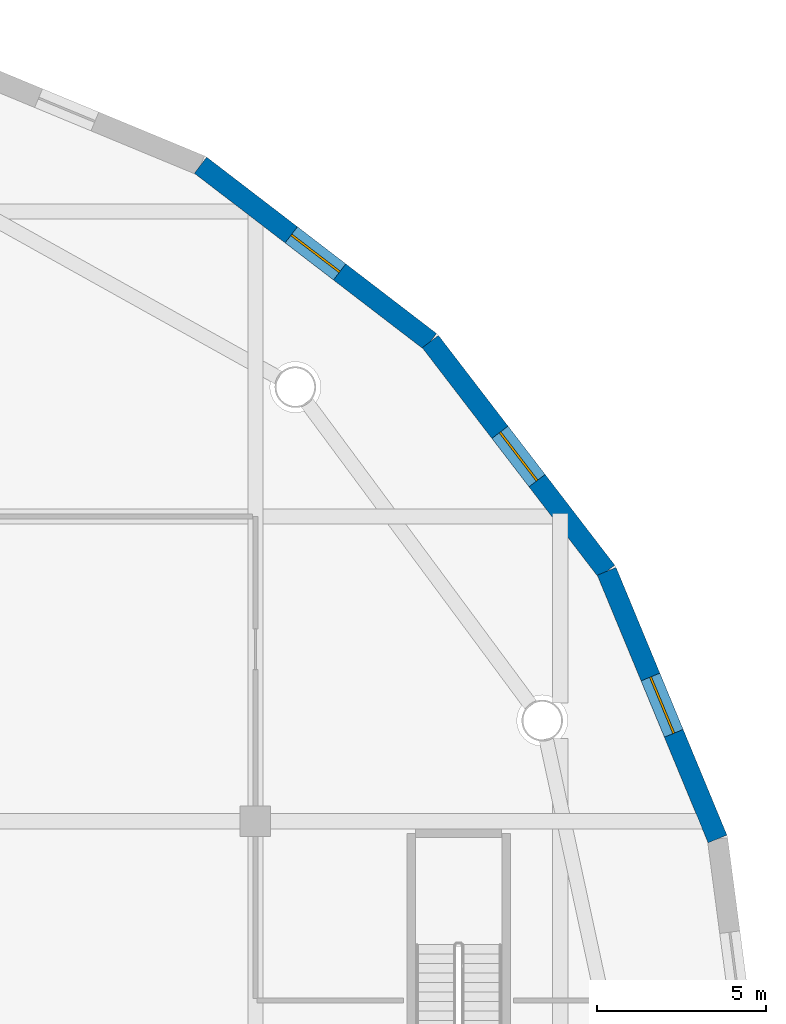
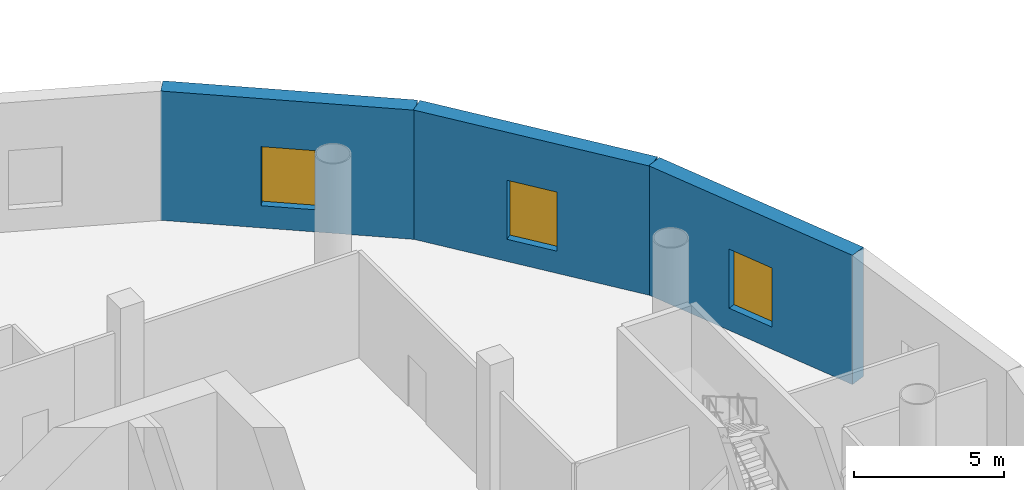
# One storey, part 12 of 23: 3 walls, 3 windows, 3 openings.
"""IFC4 building model written with IfcOpenShell, lengths in metres."""

from ifc_helpers import new_model, si_unit, direction, frame, frame_2d, origin, place, context, subcontext, project, spatial, rectangle, extrude, material, layer, layer_set, type_object, element, fill, save


model = new_model("IFC4")

# Units and contexts
model_context = context("Model", 3, precision=1e-05, world=origin(), true_north=direction((0.0, 1.0)))
body_context = subcontext(model_context, "Body", "Model", "MODEL_VIEW")
ifc_project = project(units=[si_unit("LENGTHUNIT", "METRE"), si_unit("AREAUNIT", "SQUARE_METRE"), si_unit("VOLUMEUNIT", "CUBIC_METRE"), si_unit("PLANEANGLEUNIT", "RADIAN"), si_unit("MASSUNIT", "GRAM", prefix="KILO")], contexts=[model_context])

# Site, building, storey
site_placement = place(None, origin())
site = spatial("IfcSite", under=ifc_project, at=site_placement, CompositionType="ELEMENT")
building_placement = place(site_placement, origin())
building = spatial("IfcBuilding", under=site, at=building_placement, Name="Tarsis Ring Headquarters", CompositionType="ELEMENT")
storey_placement = place(building_placement, frame((0.0, 0.0, 14.0)))
storey = spatial("IfcBuildingStorey", under=building, at=storey_placement, Name="L02", CompositionType="ELEMENT", Elevation=14.0)

# Wall, opening, window
ifc_material_1 = material(Name="Concrete C60/75", Category="concrete")
ifc_layer = layer(ifc_material_1, 0.60009765625)
ifc_layer_set = layer_set([ifc_layer], Name="PO-W600")
wall_type = type_object("IfcWallType", Name="PO-W600", PredefinedType="SOLIDWALL", material=ifc_layer_set)
wall_1_placement = place(storey_placement, frame((31.6416015625, 8.478271484375, 0.0), z_axis=(0.0, 0.0, 1.0), x_axis=(-0.382674535665, 0.923883217595, 0.0)))
wall_1 = element("IfcWall", 1, at=wall_1_placement, inside=storey, type_object=wall_type, Name="L02 external wall 17", PredefinedType="SOLIDWALL", context=body_context, shape_type="SweptSolid", body=[
    extrude(rectangle(XDim=8.551513671875, YDim=0.60009765625, at=frame_2d((4.27587890625, 0.0))), origin(), (0.0, 0.0, 1.0), 5.25),
])
opening_1_placement = place(wall_1_placement, frame((3.375732421875, 0.0, 0.89990234375)))
opening_1 = element("IfcOpeningElement", 2, at=opening_1_placement, cuts=wall_1, Name="Opening PO-WN1", PredefinedType="OPENING", context=body_context, shape_type="SweptSolid", body=[
    extrude(rectangle(XDim=1.800048828125, YDim=2.39990234375, at=frame_2d((0.89990234375, 1.199951171875))), frame((0.0, 0.31005859375, 0.0), z_axis=(0.0, -1.0, 0.0), x_axis=(1.0, 0.0, 0.0)), (0.0, 0.0, 1.0), 0.6201171875),
])
ifc_material_2 = material(Name="Double glazing", Category="glass")
window_type = type_object("IfcWindowType", Name="PO-WN1800", PartitioningType="SINGLE_PANEL", PredefinedType="WINDOW", material=ifc_material_2)
window_1_placement = place(opening_1_placement, origin())
window_1 = element("IfcWindow", 3, at=window_1_placement, inside=storey, type_object=window_type, Name="L02 window 17.1", OverallHeight=2.39990234375, OverallWidth=1.800048828125, PartitioningType="SINGLE_PANEL", PredefinedType="WINDOW", context=body_context, shape_type="SweptSolid", body=[
    extrude(rectangle(XDim=1.800048828125, YDim=2.39990234375, at=frame_2d((0.89990234375, 1.199951171875))), frame((0.0, 0.030029296875, 0.0), z_axis=(0.0, -1.0, 0.0), x_axis=(1.0, 0.0, 0.0)), (0.0, 0.0, 1.0), 0.06005859375),
])
fill(opening_1, window_1)

wall_2_placement = place(storey_placement, frame((28.369140625, 16.37890625, 0.0), z_axis=(0.0, 0.0, 1.0), x_axis=(-0.608756942646, 0.793356782778, 0.0)))
wall_2 = element("IfcWall", 4, at=wall_2_placement, inside=storey, type_object=wall_type, Name="L02 external wall 18", PredefinedType="SOLIDWALL", context=body_context, shape_type="SweptSolid", body=[
    extrude(rectangle(XDim=8.551513671875, YDim=0.60009765625, at=frame_2d((4.27587890625, 0.0))), origin(), (0.0, 0.0, 1.0), 5.25),
])
opening_2_placement = place(wall_2_placement, frame((3.375732421875, 0.0, 0.89990234375)))
opening_2 = element("IfcOpeningElement", 5, at=opening_2_placement, cuts=wall_2, Name="Opening PO-WN1", PredefinedType="OPENING", context=body_context, shape_type="SweptSolid", body=[
    extrude(rectangle(XDim=1.800048828125, YDim=2.39990234375, at=frame_2d((0.89990234375, 1.199951171875))), frame((0.0, 0.31005859375, 0.0), z_axis=(0.0, -1.0, 0.0), x_axis=(1.0, 0.0, 0.0)), (0.0, 0.0, 1.0), 0.6201171875),
])
window_2_placement = place(opening_2_placement, origin())
window_2 = element("IfcWindow", 6, at=window_2_placement, inside=storey, type_object=window_type, Name="L02 window 18.1", OverallHeight=2.39990234375, OverallWidth=1.800048828125, PartitioningType="SINGLE_PANEL", PredefinedType="WINDOW", context=body_context, shape_type="SweptSolid", body=[
    extrude(rectangle(XDim=1.800048828125, YDim=2.39990234375, at=frame_2d((0.89990234375, 1.199951171875))), frame((0.0, 0.030029296875, 0.0), z_axis=(0.0, -1.0, 0.0), x_axis=(1.0, 0.0, 0.0)), (0.0, 0.0, 1.0), 0.06005859375),
])
fill(opening_2, window_2)

wall_3_placement = place(storey_placement, frame((23.163330078125, 23.163330078125, 0.0), z_axis=(0.0, 0.0, 1.0), x_axis=(-0.793356782778, 0.608756942646, 0.0)))
wall_3 = element("IfcWall", 7, at=wall_3_placement, inside=storey, type_object=wall_type, Name="L02 external wall 19", PredefinedType="SOLIDWALL", context=body_context, shape_type="SweptSolid", body=[
    extrude(rectangle(XDim=8.551513671875, YDim=0.60009765625, at=frame_2d((4.27587890625, 0.0))), origin(), (0.0, 0.0, 1.0), 5.25),
])
opening_3_placement = place(wall_3_placement, frame((3.375732421875, 0.0, 0.89990234375)))
opening_3 = element("IfcOpeningElement", 8, at=opening_3_placement, cuts=wall_3, Name="Opening PO-WN1", PredefinedType="OPENING", context=body_context, shape_type="SweptSolid", body=[
    extrude(rectangle(XDim=1.800048828125, YDim=2.39990234375, at=frame_2d((0.89990234375, 1.199951171875))), frame((0.0, 0.31005859375, 0.0), z_axis=(0.0, -1.0, 0.0), x_axis=(1.0, 0.0, 0.0)), (0.0, 0.0, 1.0), 0.6201171875),
])
window_3_placement = place(opening_3_placement, origin())
window_3 = element("IfcWindow", 9, at=window_3_placement, inside=storey, type_object=window_type, Name="L02 window 19.1", OverallHeight=2.39990234375, OverallWidth=1.800048828125, PartitioningType="SINGLE_PANEL", PredefinedType="WINDOW", context=body_context, shape_type="SweptSolid", body=[
    extrude(rectangle(XDim=1.800048828125, YDim=2.39990234375, at=frame_2d((0.89990234375, 1.199951171875))), frame((0.0, 0.030029296875, 0.0), z_axis=(0.0, -1.0, 0.0), x_axis=(1.0, 0.0, 0.0)), (0.0, 0.0, 1.0), 0.06005859375),
])
fill(opening_3, window_3)

save(model, "model.ifc")
